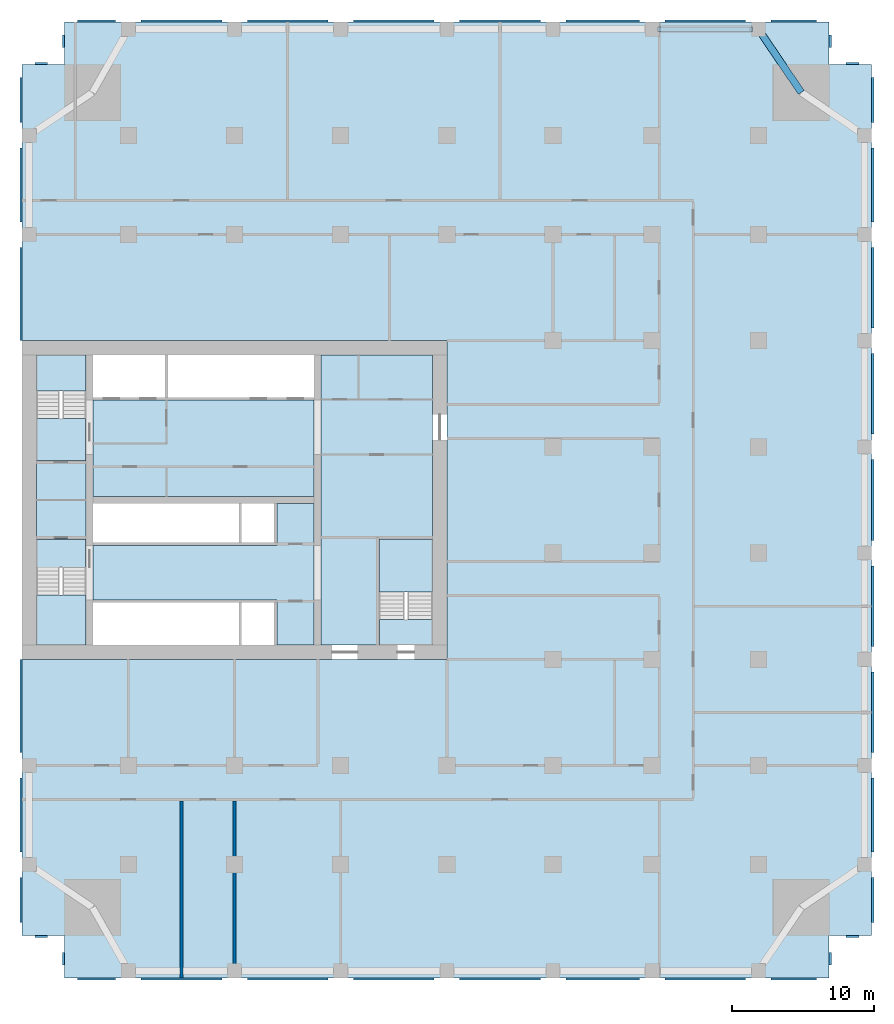
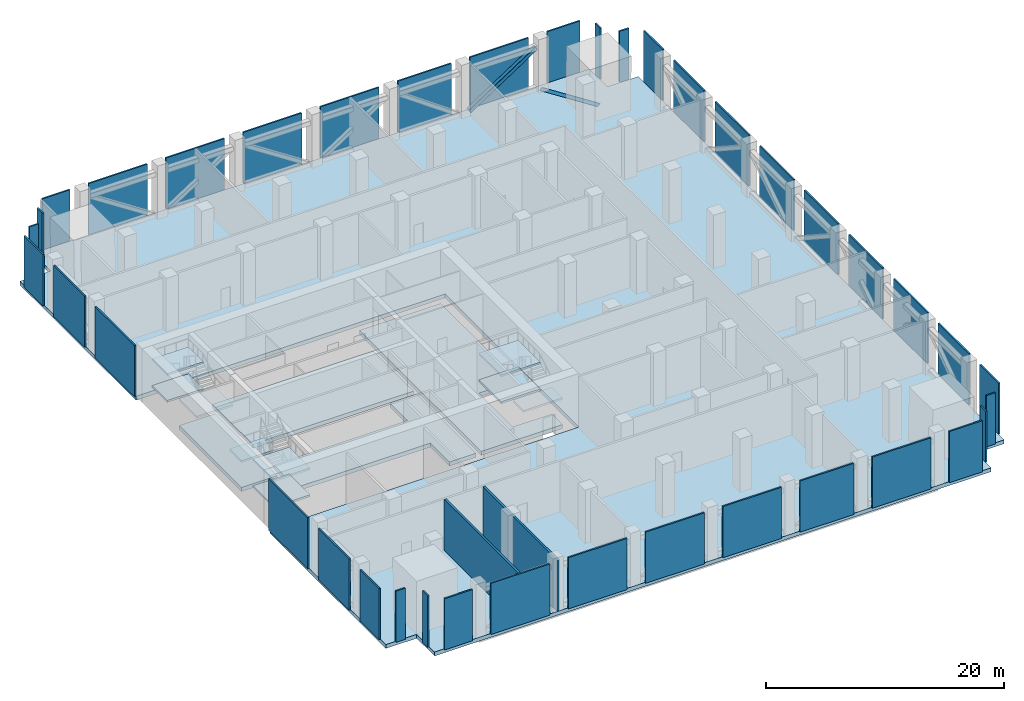
# One storey, part 2 of 10: 39 plates, 14 slabs, 2 walls, 1 beam, 1 member, 3 elements without a shape of their own.
"""IFC4 building model written with IfcOpenShell, lengths in metres."""

from ifc_helpers import new_model, si_unit, direction, frame, frame_2d, origin, origin_2d, place, context, subcontext, project, spatial, polyline, rectangle, hollow_rectangle, outline, extrude, material, layer, layer_set, material_profile, profile_set, type_object, element, aggregate, save


model = new_model("IFC4")

# Units and contexts
model_context = context("Model", 3, precision=1e-05, world=origin(), true_north=direction((0.0, 1.0)))
body_context = subcontext(model_context, "Body", "Model", "MODEL_VIEW")
ifc_project = project(units=[si_unit("LENGTHUNIT", "METRE"), si_unit("AREAUNIT", "SQUARE_METRE"), si_unit("VOLUMEUNIT", "CUBIC_METRE"), si_unit("PLANEANGLEUNIT", "RADIAN"), si_unit("MASSUNIT", "GRAM", prefix="KILO")], contexts=[model_context])

# Site, building, storey
site_placement = place(None, origin())
site = spatial("IfcSite", under=ifc_project, at=site_placement, CompositionType="ELEMENT")
building_placement = place(site_placement, origin())
building = spatial("IfcBuilding", under=site, at=building_placement, Name="Tamorin Gate", CompositionType="ELEMENT")
storey_placement = place(building_placement, frame((0.0, 0.0, 73.60009765625)))
storey = spatial("IfcBuildingStorey", under=building, at=storey_placement, Name="L17", CompositionType="ELEMENT", Elevation=73.60009765625)

# Beam
ifc_material_1 = material(Name="Concrete C50/60", Category="concrete")
ifc_material_profile_1 = material_profile(ifc_material_1, rectangle(XDim=0.5, YDim=0.75, at=origin_2d()), Name="RC 500x750")
ifc_profile_set_1 = profile_set([ifc_material_profile_1], Name="Concrete C50/60")
beam_type = type_object("IfcBeamType", Name="RC spandrel 500x750 C50/60", PredefinedType="BEAM", material=ifc_profile_set_1)
beam_placement = place(storey_placement, frame((85.03125, 100.03125, -0.375), z_axis=(-0.561359888702, 0.827571794684, 0.0), x_axis=(-0.827571794684, -0.561359888702, 0.0)))
element("IfcBeam", 1, at=beam_placement, inside=storey, type_object=beam_type, Name="Corner tie beam L17", PredefinedType="BEAM", context=body_context, shape_type="SweptSolid", body=[
    extrude(rectangle(XDim=0.5, YDim=0.75, at=origin_2d()), origin(), (0.0, 0.0, 1.0), 5.39990234375),
])

# Member
ifc_material_2 = material(Name="Steel S355J2H", Category="steel")
ifc_material_profile_2 = material_profile(ifc_material_2, hollow_rectangle(XDim=0.39990234375, YDim=0.39990234375, WallThickness=0.02001953125, InnerFilletRadius=0.030029296875, OuterFilletRadius=0.050048828125, at=origin_2d()), Name="RHS 400x400x20")
ifc_profile_set_2 = profile_set([ifc_material_profile_2], Name="Steel S355J2H")
member_type = type_object("IfcMemberType", Name="Steel diagonal RHS 400x400x20", PredefinedType="BRACE", material=ifc_profile_set_2)
member_placement = place(storey_placement, frame((81.5, 104.5, 4.5), z_axis=(-0.836969613974, 0.0, -0.547249362983), x_axis=(0.0, -1.0, 0.0)))
element("IfcMember", 2, at=member_placement, inside=storey, type_object=member_type, Name="Truss diagonal L17", PredefinedType="BRACE", context=body_context, shape_type="SweptSolid", body=[
    extrude(hollow_rectangle(XDim=0.39990234375, YDim=0.39990234375, WallThickness=0.02001953125, InnerFilletRadius=0.030029296875, OuterFilletRadius=0.050048828125, at=origin_2d()), origin(), (0.0, 0.0, 1.0), 7.76611328125),
])

# Slabs
ifc_material_3 = material(Name="Concrete C40/50", Category="concrete")
ifc_layer_1 = layer(ifc_material_3, 0.409912109375)
ifc_layer_set_1 = layer_set([ifc_layer_1], Name="Core floor slab 410 C40/50")
slab_type_1 = type_object("IfcSlabType", Name="Core floor slab 410 C40/50", PredefinedType="FLOOR", material=ifc_layer_set_1)
slab_1_placement = place(storey_placement, frame((0.0, 0.0, -0.41015625)))
element("IfcSlab", 3, at=slab_1_placement, inside=storey, type_object=slab_type_1, Name="Core floor L17", PredefinedType="FLOOR", context=body_context, shape_type="SweptSolid", body=[
    extrude(outline(polyline([(59.0, 62.800048828125), (59.0, 61.0), (51.10009765625, 61.0), (51.10009765625, 81.5), (59.0, 81.5), (59.0, 68.5), (55.199951171875, 68.5), (55.199951171875, 62.800048828125), (59.0, 62.800048828125)])), origin(), (0.0, 0.0, 1.0), 0.41015625),
])
slab_2_placement = place(storey_placement, frame((0.0, 0.0, -0.41015625)))
element("IfcSlab", 4, at=slab_2_placement, inside=storey, type_object=slab_type_1, Name="Core floor L17", PredefinedType="FLOOR", context=body_context, shape_type="SweptSolid", body=[
    extrude(outline(polyline([(50.60009765625, 61.0), (48.0, 61.0), (48.0, 64.199951171875), (35.0, 64.199951171875), (35.0, 68.050048828125), (48.0, 68.050048828125), (48.0, 71.0), (50.60009765625, 71.0), (50.60009765625, 61.0)])), origin(), (0.0, 0.0, 1.0), 0.41015625),
])
slab_3_placement = place(storey_placement, frame((0.0, 0.0, -0.41015625)))
element("IfcSlab", 5, at=slab_3_placement, inside=storey, type_object=slab_type_1, Name="Core floor L17", PredefinedType="FLOOR", context=body_context, shape_type="SweptSolid", body=[
    extrude(outline(polyline([(50.60009765625, 71.5), (35.0, 71.5), (35.0, 78.300048828125), (50.60009765625, 78.300048828125), (50.60009765625, 71.5)])), origin(), (0.0, 0.0, 1.0), 0.41015625),
])
slab_4_placement = place(storey_placement, frame((0.0, 0.0, -0.41015625)))
element("IfcSlab", 6, at=slab_4_placement, inside=storey, type_object=slab_type_1, Name="Core floor L17", PredefinedType="FLOOR", context=body_context, shape_type="SweptSolid", body=[
    extrude(outline(polyline([(31.0, 66.5), (31.0, 77.0), (34.5, 77.0), (34.5, 66.5), (31.0, 66.5)])), origin(), (0.0, 0.0, 1.0), 0.41015625),
])

# Stair, slabs
stair_type = type_object("IfcStairType", Name="Exit stair", PredefinedType="HALF_TURN_STAIR", material=ifc_material_3)
stair_1_placement = place(storey_placement, origin())
stair_1 = element("IfcStair", 7, at=stair_1_placement, inside=storey, type_object=stair_type, Name="L17 stair ST1", PredefinedType="HALF_TURN_STAIR")
ifc_layer_2 = layer(ifc_material_3, 0.199951171875)
ifc_layer_set_2 = layer_set([ifc_layer_2], Name="Exit stair landing 200")
slab_type_2 = type_object("IfcSlabType", Name="Exit stair landing 200", PredefinedType="LANDING", material=ifc_layer_set_2)
slab_5_placement = place(storey_placement, frame((0.0, 0.0, 1.1748046875)))
slab_5 = element("IfcSlab", 8, at=slab_5_placement, type_object=slab_type_2, Name="ST1 landing 1", PredefinedType="LANDING", context=body_context, shape_type="SweptSolid", body=[
    extrude(outline(polyline([(31.0, 64.5400390625), (31.0, 61.0), (34.5, 61.0), (34.5, 64.5400390625), (31.0, 64.5400390625)])), origin(), (0.0, 0.0, 1.0), 0.2001953125),
])
slab_6_placement = place(storey_placement, frame((0.0, 0.0, 2.5498046875)))
slab_6 = element("IfcSlab", 9, at=slab_6_placement, type_object=slab_type_2, Name="ST1 landing 2", PredefinedType="LANDING", context=body_context, shape_type="SweptSolid", body=[
    extrude(outline(polyline([(31.0, 68.5), (31.0, 66.5), (34.5, 66.5), (34.5, 68.5), (31.0, 68.5)])), origin(), (0.0, 0.0, 1.0), 0.2001953125),
])
slab_7_placement = place(storey_placement, frame((0.0, 0.0, 3.9248046875)))
slab_7 = element("IfcSlab", 10, at=slab_7_placement, type_object=slab_type_2, Name="ST1 landing 3", PredefinedType="LANDING", context=body_context, shape_type="SweptSolid", body=[
    extrude(outline(polyline([(31.0, 64.5400390625), (31.0, 61.0), (34.5, 61.0), (34.5, 64.5400390625), (31.0, 64.5400390625)])), origin(), (0.0, 0.0, 1.0), 0.2001953125),
])
aggregate(stair_1, [slab_5, slab_6, slab_7])

stair_2_placement = place(storey_placement, origin())
stair_2 = element("IfcStair", 11, at=stair_2_placement, inside=storey, type_object=stair_type, Name="L17 stair ST2", PredefinedType="HALF_TURN_STAIR")
slab_8_placement = place(storey_placement, frame((0.0, 0.0, 1.1748046875)))
slab_8 = element("IfcSlab", 12, at=slab_8_placement, type_object=slab_type_2, Name="ST2 landing 1", PredefinedType="LANDING", context=body_context, shape_type="SweptSolid", body=[
    extrude(outline(polyline([(34.5, 78.9599609375), (34.5, 81.5), (31.0, 81.5), (31.0, 78.9599609375), (34.5, 78.9599609375)])), origin(), (0.0, 0.0, 1.0), 0.2001953125),
])
slab_9_placement = place(storey_placement, frame((0.0, 0.0, 2.5498046875)))
slab_9 = element("IfcSlab", 13, at=slab_9_placement, type_object=slab_type_2, Name="ST2 landing 2", PredefinedType="LANDING", context=body_context, shape_type="SweptSolid", body=[
    extrude(outline(polyline([(34.5, 74.0), (34.5, 77.0), (31.0, 77.0), (31.0, 74.0), (34.5, 74.0)])), origin(), (0.0, 0.0, 1.0), 0.2001953125),
])
slab_10_placement = place(storey_placement, frame((0.0, 0.0, 3.9248046875)))
slab_10 = element("IfcSlab", 14, at=slab_10_placement, type_object=slab_type_2, Name="ST2 landing 3", PredefinedType="LANDING", context=body_context, shape_type="SweptSolid", body=[
    extrude(outline(polyline([(34.5, 78.9599609375), (34.5, 81.5), (31.0, 81.5), (31.0, 78.9599609375), (34.5, 78.9599609375)])), origin(), (0.0, 0.0, 1.0), 0.2001953125),
])
aggregate(stair_2, [slab_8, slab_9, slab_10])

stair_3_placement = place(storey_placement, origin())
stair_3 = element("IfcStair", 15, at=stair_3_placement, inside=storey, type_object=stair_type, Name="L17 stair ST3", PredefinedType="HALF_TURN_STAIR")
slab_11_placement = place(storey_placement, frame((0.0, 0.0, 1.1748046875)))
slab_11 = element("IfcSlab", 16, at=slab_11_placement, type_object=slab_type_2, Name="ST3 landing 1", PredefinedType="LANDING", context=body_context, shape_type="SweptSolid", body=[
    extrude(outline(polyline([(59.0, 64.760009765625), (59.0, 68.5), (55.199951171875, 68.5), (55.199951171875, 64.760009765625), (59.0, 64.760009765625)])), origin(), (0.0, 0.0, 1.0), 0.2001953125),
])
slab_12_placement = place(storey_placement, frame((0.0, 0.0, 2.5498046875)))
slab_12 = element("IfcSlab", 17, at=slab_12_placement, type_object=slab_type_2, Name="ST3 landing 2", PredefinedType="LANDING", context=body_context, shape_type="SweptSolid", body=[
    extrude(outline(polyline([(59.0, 61.0), (59.0, 62.800048828125), (55.199951171875, 62.800048828125), (55.199951171875, 61.0), (59.0, 61.0)])), origin(), (0.0, 0.0, 1.0), 0.2001953125),
])
slab_13_placement = place(storey_placement, frame((0.0, 0.0, 3.9248046875)))
slab_13 = element("IfcSlab", 18, at=slab_13_placement, type_object=slab_type_2, Name="ST3 landing 3", PredefinedType="LANDING", context=body_context, shape_type="SweptSolid", body=[
    extrude(outline(polyline([(59.0, 64.760009765625), (59.0, 68.5), (55.199951171875, 68.5), (55.199951171875, 64.760009765625), (59.0, 64.760009765625)])), origin(), (0.0, 0.0, 1.0), 0.2001953125),
])
aggregate(stair_3, [slab_11, slab_12, slab_13])

# Slab
ifc_material_4 = material(Name="Concrete C45/55", Category="concrete")
ifc_layer_3 = layer(ifc_material_4, 0.39990234375)
ifc_layer_set_3 = layer_set([ifc_layer_3], Name="Floor slab 400 C45/55")
slab_type_3 = type_object("IfcSlabType", Name="Floor slab 400 C45/55", PredefinedType="FLOOR", material=ifc_layer_set_3)
slab_14_placement = place(storey_placement, frame((0.0, 0.0, -0.400146484375)))
element("IfcSlab", 19, at=slab_14_placement, inside=storey, type_object=slab_type_3, Name="Floor L17", PredefinedType="FLOOR", context=body_context, shape_type="SweptSolid", body=[
    extrude(outline(polyline([(30.0, 102.0), (33.0, 102.0), (33.0, 105.0), (87.0, 105.0), (87.0, 102.0), (90.0, 102.0), (90.0, 40.5), (87.0, 40.5), (87.0, 37.5), (33.0, 37.5), (33.0, 40.5), (30.0, 40.5), (30.0, 60.0), (60.0, 60.0), (60.0, 82.5), (30.0, 82.5), (30.0, 102.0)])), origin(), (0.0, 0.0, 1.0), 0.400146484375),
])

# Plates
ifc_material_5 = material(Name="Perforated pale aluminium sheet", Category="aluminium")
ifc_layer_4 = layer(ifc_material_5, 0.14990234375)
ifc_layer_set_4 = layer_set([ifc_layer_4], Name="Plant louvre 150")
plate_type = type_object("IfcPlateType", Name="Plant louvre 150", PredefinedType="SHEET", material=ifc_layer_set_4)
plate_1_placement = place(storey_placement, origin())
element("IfcPlate", 20, at=plate_1_placement, inside=storey, type_object=plate_type, Name="Plant LOUVRE", PredefinedType="SHEET", context=body_context, shape_type="SweptSolid", body=[
    extrude(outline(polyline([(33.89990234375, 37.35009765625), (33.89990234375, 37.5), (36.60009765625, 37.5), (36.60009765625, 37.35009765625), (33.89990234375, 37.35009765625)])), origin(), (0.0, 0.0, 1.0), 5.25),
])
plate_2_placement = place(storey_placement, origin())
element("IfcPlate", 21, at=plate_2_placement, inside=storey, type_object=plate_type, Name="Plant LOUVRE", PredefinedType="SHEET", context=body_context, shape_type="SweptSolid", body=[
    extrude(outline(polyline([(38.39990234375, 37.35009765625), (38.39990234375, 37.5), (44.10009765625, 37.5), (44.10009765625, 37.35009765625), (38.39990234375, 37.35009765625)])), origin(), (0.0, 0.0, 1.0), 5.25),
])
plate_3_placement = place(storey_placement, origin())
element("IfcPlate", 22, at=plate_3_placement, inside=storey, type_object=plate_type, Name="Plant LOUVRE", PredefinedType="SHEET", context=body_context, shape_type="SweptSolid", body=[
    extrude(outline(polyline([(45.89990234375, 37.35009765625), (45.89990234375, 37.5), (51.60009765625, 37.5), (51.60009765625, 37.35009765625), (45.89990234375, 37.35009765625)])), origin(), (0.0, 0.0, 1.0), 5.25),
])
plate_4_placement = place(storey_placement, origin())
element("IfcPlate", 23, at=plate_4_placement, inside=storey, type_object=plate_type, Name="Plant LOUVRE", PredefinedType="SHEET", context=body_context, shape_type="SweptSolid", body=[
    extrude(outline(polyline([(53.39990234375, 37.35009765625), (53.39990234375, 37.5), (59.10009765625, 37.5), (59.10009765625, 37.35009765625), (53.39990234375, 37.35009765625)])), origin(), (0.0, 0.0, 1.0), 5.25),
])
plate_5_placement = place(storey_placement, origin())
element("IfcPlate", 24, at=plate_5_placement, inside=storey, type_object=plate_type, Name="Plant LOUVRE", PredefinedType="SHEET", context=body_context, shape_type="SweptSolid", body=[
    extrude(outline(polyline([(60.89990234375, 37.35009765625), (60.89990234375, 37.5), (66.60009765625, 37.5), (66.60009765625, 37.35009765625), (60.89990234375, 37.35009765625)])), origin(), (0.0, 0.0, 1.0), 5.25),
])
plate_6_placement = place(storey_placement, origin())
element("IfcPlate", 25, at=plate_6_placement, inside=storey, type_object=plate_type, Name="Plant LOUVRE", PredefinedType="SHEET", context=body_context, shape_type="SweptSolid", body=[
    extrude(outline(polyline([(68.39990234375, 37.35009765625), (68.39990234375, 37.5), (73.60009765625, 37.5), (73.60009765625, 37.35009765625), (68.39990234375, 37.35009765625)])), origin(), (0.0, 0.0, 1.0), 5.25),
])
plate_7_placement = place(storey_placement, origin())
element("IfcPlate", 26, at=plate_7_placement, inside=storey, type_object=plate_type, Name="Plant LOUVRE", PredefinedType="SHEET", context=body_context, shape_type="SweptSolid", body=[
    extrude(outline(polyline([(75.39990234375, 37.35009765625), (75.39990234375, 37.5), (81.10009765625, 37.5), (81.10009765625, 37.35009765625), (75.39990234375, 37.35009765625)])), origin(), (0.0, 0.0, 1.0), 5.25),
])
plate_8_placement = place(storey_placement, origin())
element("IfcPlate", 27, at=plate_8_placement, inside=storey, type_object=plate_type, Name="Plant LOUVRE", PredefinedType="SHEET", context=body_context, shape_type="SweptSolid", body=[
    extrude(outline(polyline([(86.10009765625, 37.5), (86.10009765625, 37.35009765625), (82.89990234375, 37.35009765625), (82.89990234375, 37.5), (86.10009765625, 37.5)])), origin(), (0.0, 0.0, 1.0), 5.25),
])
plate_9_placement = place(storey_placement, origin())
element("IfcPlate", 28, at=plate_9_placement, inside=storey, type_object=plate_type, Name="Plant LOUVRE", PredefinedType="SHEET", context=body_context, shape_type="SweptSolid", body=[
    extrude(outline(polyline([(87.0, 39.300048828125), (87.14990234375, 39.300048828125), (87.14990234375, 38.39990234375), (87.0, 38.39990234375), (87.0, 39.300048828125)])), origin(), (0.0, 0.0, 1.0), 5.25),
])
plate_10_placement = place(storey_placement, origin())
element("IfcPlate", 29, at=plate_10_placement, inside=storey, type_object=plate_type, Name="Plant LOUVRE", PredefinedType="SHEET", context=body_context, shape_type="SweptSolid", body=[
    extrude(outline(polyline([(88.199951171875, 40.35009765625), (88.199951171875, 40.5), (89.10009765625, 40.5), (89.10009765625, 40.35009765625), (88.199951171875, 40.35009765625)])), origin(), (0.0, 0.0, 1.0), 5.25),
])
plate_11_placement = place(storey_placement, origin())
element("IfcPlate", 30, at=plate_11_placement, inside=storey, type_object=plate_type, Name="Plant LOUVRE", PredefinedType="SHEET", context=body_context, shape_type="SweptSolid", body=[
    extrude(outline(polyline([(90.14990234375, 41.39990234375), (90.0, 41.39990234375), (90.0, 44.60009765625), (90.14990234375, 44.60009765625), (90.14990234375, 41.39990234375)])), origin(), (0.0, 0.0, 1.0), 5.25),
])
plate_12_placement = place(storey_placement, origin())
element("IfcPlate", 31, at=plate_12_placement, inside=storey, type_object=plate_type, Name="Plant LOUVRE", PredefinedType="SHEET", context=body_context, shape_type="SweptSolid", body=[
    extrude(outline(polyline([(90.14990234375, 46.39990234375), (90.0, 46.39990234375), (90.0, 51.60009765625), (90.14990234375, 51.60009765625), (90.14990234375, 46.39990234375)])), origin(), (0.0, 0.0, 1.0), 5.25),
])
plate_13_placement = place(storey_placement, origin())
element("IfcPlate", 32, at=plate_13_placement, inside=storey, type_object=plate_type, Name="Plant LOUVRE", PredefinedType="SHEET", context=body_context, shape_type="SweptSolid", body=[
    extrude(outline(polyline([(90.14990234375, 53.39990234375), (90.0, 53.39990234375), (90.0, 59.10009765625), (90.14990234375, 59.10009765625), (90.14990234375, 53.39990234375)])), origin(), (0.0, 0.0, 1.0), 5.25),
])
plate_14_placement = place(storey_placement, origin())
element("IfcPlate", 33, at=plate_14_placement, inside=storey, type_object=plate_type, Name="Plant LOUVRE", PredefinedType="SHEET", context=body_context, shape_type="SweptSolid", body=[
    extrude(outline(polyline([(90.14990234375, 60.89990234375), (90.0, 60.89990234375), (90.0, 66.60009765625), (90.14990234375, 66.60009765625), (90.14990234375, 60.89990234375)])), origin(), (0.0, 0.0, 1.0), 5.25),
])
plate_15_placement = place(storey_placement, origin())
element("IfcPlate", 34, at=plate_15_placement, inside=storey, type_object=plate_type, Name="Plant LOUVRE", PredefinedType="SHEET", context=body_context, shape_type="SweptSolid", body=[
    extrude(outline(polyline([(90.14990234375, 68.39990234375), (90.0, 68.39990234375), (90.0, 74.10009765625), (90.14990234375, 74.10009765625), (90.14990234375, 68.39990234375)])), origin(), (0.0, 0.0, 1.0), 5.25),
])
plate_16_placement = place(storey_placement, origin())
element("IfcPlate", 35, at=plate_16_placement, inside=storey, type_object=plate_type, Name="Plant LOUVRE", PredefinedType="SHEET", context=body_context, shape_type="SweptSolid", body=[
    extrude(outline(polyline([(90.14990234375, 75.89990234375), (90.0, 75.89990234375), (90.0, 81.60009765625), (90.14990234375, 81.60009765625), (90.14990234375, 75.89990234375)])), origin(), (0.0, 0.0, 1.0), 5.25),
])
plate_17_placement = place(storey_placement, origin())
element("IfcPlate", 36, at=plate_17_placement, inside=storey, type_object=plate_type, Name="Plant LOUVRE", PredefinedType="SHEET", context=body_context, shape_type="SweptSolid", body=[
    extrude(outline(polyline([(90.14990234375, 83.39990234375), (90.0, 83.39990234375), (90.0, 89.10009765625), (90.14990234375, 89.10009765625), (90.14990234375, 83.39990234375)])), origin(), (0.0, 0.0, 1.0), 5.25),
])
plate_18_placement = place(storey_placement, origin())
element("IfcPlate", 37, at=plate_18_placement, inside=storey, type_object=plate_type, Name="Plant LOUVRE", PredefinedType="SHEET", context=body_context, shape_type="SweptSolid", body=[
    extrude(outline(polyline([(90.14990234375, 90.89990234375), (90.0, 90.89990234375), (90.0, 96.10009765625), (90.14990234375, 96.10009765625), (90.14990234375, 90.89990234375)])), origin(), (0.0, 0.0, 1.0), 5.25),
])
plate_19_placement = place(storey_placement, origin())
element("IfcPlate", 38, at=plate_19_placement, inside=storey, type_object=plate_type, Name="Plant LOUVRE", PredefinedType="SHEET", context=body_context, shape_type="SweptSolid", body=[
    extrude(outline(polyline([(90.0, 101.10009765625), (90.14990234375, 101.10009765625), (90.14990234375, 97.89990234375), (90.0, 97.89990234375), (90.0, 101.10009765625)])), origin(), (0.0, 0.0, 1.0), 5.25),
])
plate_20_placement = place(storey_placement, origin())
element("IfcPlate", 39, at=plate_20_placement, inside=storey, type_object=plate_type, Name="Plant LOUVRE", PredefinedType="SHEET", context=body_context, shape_type="SweptSolid", body=[
    extrude(outline(polyline([(88.199951171875, 102.0), (88.199951171875, 102.14990234375), (89.10009765625, 102.14990234375), (89.10009765625, 102.0), (88.199951171875, 102.0)])), origin(), (0.0, 0.0, 1.0), 5.25),
])
plate_21_placement = place(storey_placement, origin())
element("IfcPlate", 40, at=plate_21_placement, inside=storey, type_object=plate_type, Name="Plant LOUVRE", PredefinedType="SHEET", context=body_context, shape_type="SweptSolid", body=[
    extrude(outline(polyline([(87.14990234375, 103.199951171875), (87.0, 103.199951171875), (87.0, 104.10009765625), (87.14990234375, 104.10009765625), (87.14990234375, 103.199951171875)])), origin(), (0.0, 0.0, 1.0), 5.25),
])
plate_22_placement = place(storey_placement, origin())
element("IfcPlate", 41, at=plate_22_placement, inside=storey, type_object=plate_type, Name="Plant LOUVRE", PredefinedType="SHEET", context=body_context, shape_type="SweptSolid", body=[
    extrude(outline(polyline([(86.10009765625, 105.14990234375), (86.10009765625, 105.0), (82.89990234375, 105.0), (82.89990234375, 105.14990234375), (86.10009765625, 105.14990234375)])), origin(), (0.0, 0.0, 1.0), 5.25),
])
plate_23_placement = place(storey_placement, origin())
element("IfcPlate", 42, at=plate_23_placement, inside=storey, type_object=plate_type, Name="Plant LOUVRE", PredefinedType="SHEET", context=body_context, shape_type="SweptSolid", body=[
    extrude(outline(polyline([(75.39990234375, 105.0), (75.39990234375, 105.14990234375), (81.10009765625, 105.14990234375), (81.10009765625, 105.0), (75.39990234375, 105.0)])), origin(), (0.0, 0.0, 1.0), 5.25),
])
plate_24_placement = place(storey_placement, origin())
element("IfcPlate", 43, at=plate_24_placement, inside=storey, type_object=plate_type, Name="Plant LOUVRE", PredefinedType="SHEET", context=body_context, shape_type="SweptSolid", body=[
    extrude(outline(polyline([(68.39990234375, 105.0), (68.39990234375, 105.14990234375), (73.60009765625, 105.14990234375), (73.60009765625, 105.0), (68.39990234375, 105.0)])), origin(), (0.0, 0.0, 1.0), 5.25),
])
plate_25_placement = place(storey_placement, origin())
element("IfcPlate", 44, at=plate_25_placement, inside=storey, type_object=plate_type, Name="Plant LOUVRE", PredefinedType="SHEET", context=body_context, shape_type="SweptSolid", body=[
    extrude(outline(polyline([(60.89990234375, 105.0), (60.89990234375, 105.14990234375), (66.60009765625, 105.14990234375), (66.60009765625, 105.0), (60.89990234375, 105.0)])), origin(), (0.0, 0.0, 1.0), 5.25),
])
plate_26_placement = place(storey_placement, origin())
element("IfcPlate", 45, at=plate_26_placement, inside=storey, type_object=plate_type, Name="Plant LOUVRE", PredefinedType="SHEET", context=body_context, shape_type="SweptSolid", body=[
    extrude(outline(polyline([(53.39990234375, 105.0), (53.39990234375, 105.14990234375), (59.10009765625, 105.14990234375), (59.10009765625, 105.0), (53.39990234375, 105.0)])), origin(), (0.0, 0.0, 1.0), 5.25),
])
plate_27_placement = place(storey_placement, origin())
element("IfcPlate", 46, at=plate_27_placement, inside=storey, type_object=plate_type, Name="Plant LOUVRE", PredefinedType="SHEET", context=body_context, shape_type="SweptSolid", body=[
    extrude(outline(polyline([(45.89990234375, 105.0), (45.89990234375, 105.14990234375), (51.60009765625, 105.14990234375), (51.60009765625, 105.0), (45.89990234375, 105.0)])), origin(), (0.0, 0.0, 1.0), 5.25),
])
plate_28_placement = place(storey_placement, origin())
element("IfcPlate", 47, at=plate_28_placement, inside=storey, type_object=plate_type, Name="Plant LOUVRE", PredefinedType="SHEET", context=body_context, shape_type="SweptSolid", body=[
    extrude(outline(polyline([(38.39990234375, 105.0), (38.39990234375, 105.14990234375), (44.10009765625, 105.14990234375), (44.10009765625, 105.0), (38.39990234375, 105.0)])), origin(), (0.0, 0.0, 1.0), 5.25),
])
plate_29_placement = place(storey_placement, origin())
element("IfcPlate", 48, at=plate_29_placement, inside=storey, type_object=plate_type, Name="Plant LOUVRE", PredefinedType="SHEET", context=body_context, shape_type="SweptSolid", body=[
    extrude(outline(polyline([(33.89990234375, 105.0), (33.89990234375, 105.14990234375), (36.60009765625, 105.14990234375), (36.60009765625, 105.0), (33.89990234375, 105.0)])), origin(), (0.0, 0.0, 1.0), 5.25),
])
plate_30_placement = place(storey_placement, origin())
element("IfcPlate", 49, at=plate_30_placement, inside=storey, type_object=plate_type, Name="Plant LOUVRE", PredefinedType="SHEET", context=body_context, shape_type="SweptSolid", body=[
    extrude(outline(polyline([(33.0, 103.199951171875), (32.85009765625, 103.199951171875), (32.85009765625, 104.10009765625), (33.0, 104.10009765625), (33.0, 103.199951171875)])), origin(), (0.0, 0.0, 1.0), 5.25),
])
plate_31_placement = place(storey_placement, origin())
element("IfcPlate", 50, at=plate_31_placement, inside=storey, type_object=plate_type, Name="Plant LOUVRE", PredefinedType="SHEET", context=body_context, shape_type="SweptSolid", body=[
    extrude(outline(polyline([(31.800048828125, 102.14990234375), (31.800048828125, 102.0), (30.89990234375, 102.0), (30.89990234375, 102.14990234375), (31.800048828125, 102.14990234375)])), origin(), (0.0, 0.0, 1.0), 5.25),
])
plate_32_placement = place(storey_placement, origin())
element("IfcPlate", 51, at=plate_32_placement, inside=storey, type_object=plate_type, Name="Plant LOUVRE", PredefinedType="SHEET", context=body_context, shape_type="SweptSolid", body=[
    extrude(outline(polyline([(29.85009765625, 101.10009765625), (30.0, 101.10009765625), (30.0, 97.89990234375), (29.85009765625, 97.89990234375), (29.85009765625, 101.10009765625)])), origin(), (0.0, 0.0, 1.0), 5.25),
])
plate_33_placement = place(storey_placement, origin())
element("IfcPlate", 52, at=plate_33_placement, inside=storey, type_object=plate_type, Name="Plant LOUVRE", PredefinedType="SHEET", context=body_context, shape_type="SweptSolid", body=[
    extrude(outline(polyline([(30.0, 90.89990234375), (29.85009765625, 90.89990234375), (29.85009765625, 96.10009765625), (30.0, 96.10009765625), (30.0, 90.89990234375)])), origin(), (0.0, 0.0, 1.0), 5.25),
])
plate_34_placement = place(storey_placement, origin())
element("IfcPlate", 53, at=plate_34_placement, inside=storey, type_object=plate_type, Name="Plant LOUVRE", PredefinedType="SHEET", context=body_context, shape_type="SweptSolid", body=[
    extrude(outline(polyline([(30.0, 82.5), (29.85009765625, 82.5), (29.85009765625, 89.10009765625), (30.0, 89.10009765625), (30.0, 82.5)])), origin(), (0.0, 0.0, 1.0), 5.25),
])
plate_35_placement = place(storey_placement, origin())
element("IfcPlate", 54, at=plate_35_placement, inside=storey, type_object=plate_type, Name="Plant LOUVRE", PredefinedType="SHEET", context=body_context, shape_type="SweptSolid", body=[
    extrude(outline(polyline([(29.85009765625, 60.0), (30.0, 60.0), (30.0, 53.39990234375), (29.85009765625, 53.39990234375), (29.85009765625, 60.0)])), origin(), (0.0, 0.0, 1.0), 5.25),
])
plate_36_placement = place(storey_placement, origin())
element("IfcPlate", 55, at=plate_36_placement, inside=storey, type_object=plate_type, Name="Plant LOUVRE", PredefinedType="SHEET", context=body_context, shape_type="SweptSolid", body=[
    extrude(outline(polyline([(30.0, 46.39990234375), (29.85009765625, 46.39990234375), (29.85009765625, 51.60009765625), (30.0, 51.60009765625), (30.0, 46.39990234375)])), origin(), (0.0, 0.0, 1.0), 5.25),
])
plate_37_placement = place(storey_placement, origin())
element("IfcPlate", 56, at=plate_37_placement, inside=storey, type_object=plate_type, Name="Plant LOUVRE", PredefinedType="SHEET", context=body_context, shape_type="SweptSolid", body=[
    extrude(outline(polyline([(30.0, 41.39990234375), (29.85009765625, 41.39990234375), (29.85009765625, 44.60009765625), (30.0, 44.60009765625), (30.0, 41.39990234375)])), origin(), (0.0, 0.0, 1.0), 5.25),
])
plate_38_placement = place(storey_placement, origin())
element("IfcPlate", 57, at=plate_38_placement, inside=storey, type_object=plate_type, Name="Plant LOUVRE", PredefinedType="SHEET", context=body_context, shape_type="SweptSolid", body=[
    extrude(outline(polyline([(31.800048828125, 40.5), (31.800048828125, 40.35009765625), (30.89990234375, 40.35009765625), (30.89990234375, 40.5), (31.800048828125, 40.5)])), origin(), (0.0, 0.0, 1.0), 5.25),
])
plate_39_placement = place(storey_placement, origin())
element("IfcPlate", 58, at=plate_39_placement, inside=storey, type_object=plate_type, Name="Plant LOUVRE", PredefinedType="SHEET", context=body_context, shape_type="SweptSolid", body=[
    extrude(outline(polyline([(32.85009765625, 39.300048828125), (33.0, 39.300048828125), (33.0, 38.39990234375), (32.85009765625, 38.39990234375), (32.85009765625, 39.300048828125)])), origin(), (0.0, 0.0, 1.0), 5.25),
])

# Walls
ifc_material_6 = material(Name="Gypsum board partition")
ifc_layer_5 = layer(ifc_material_6, 0.199951171875)
ifc_layer_set_5 = layer_set([ifc_layer_5], Name="Plant and refuge wall 200")
wall_type = type_object("IfcWallType", Name="Plant and refuge wall 200", PredefinedType="PARTITIONING", material=ifc_layer_set_5)
for number, where, z_axis, x_axis, name in (
    (59, (41.25, 37.5, 0.0), (0.0, 0.0, 1.0), (0.0, 1.0, 0.0), "Plant and refuge wall 200"),
    (60, (45.0, 37.5, 0.0), (0.0, 0.0, 1.0), (0.0, 1.0, 0.0), "Plant and refuge wall 200"),
):
    element("IfcWall", number, at=place(storey_placement, frame(where, z_axis=z_axis, x_axis=x_axis)), inside=storey, type_object=wall_type, Name=name, PredefinedType="PARTITIONING", context=body_context, shape_type="SweptSolid", body=[
        extrude(rectangle(XDim=12.5, YDim=0.199951171875, at=frame_2d((6.25, 0.0))), origin(), (0.0, 0.0, 1.0), 5.25),
    ])

save(model, "model.ifc")
